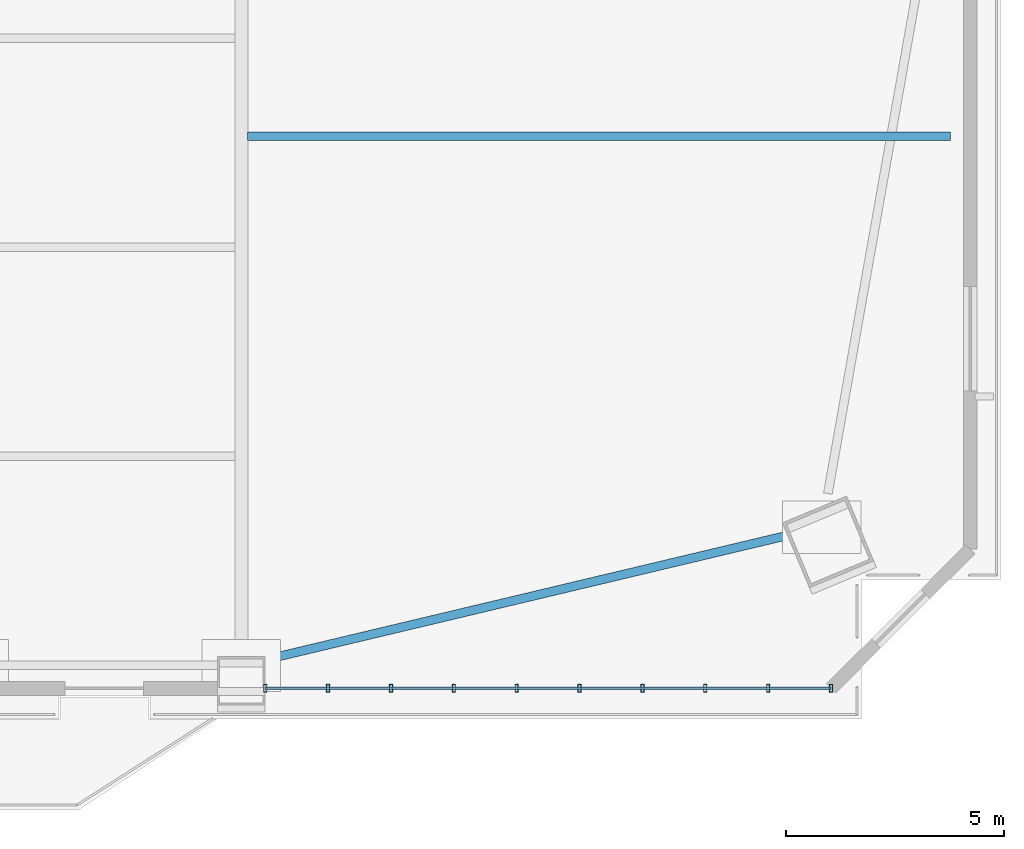
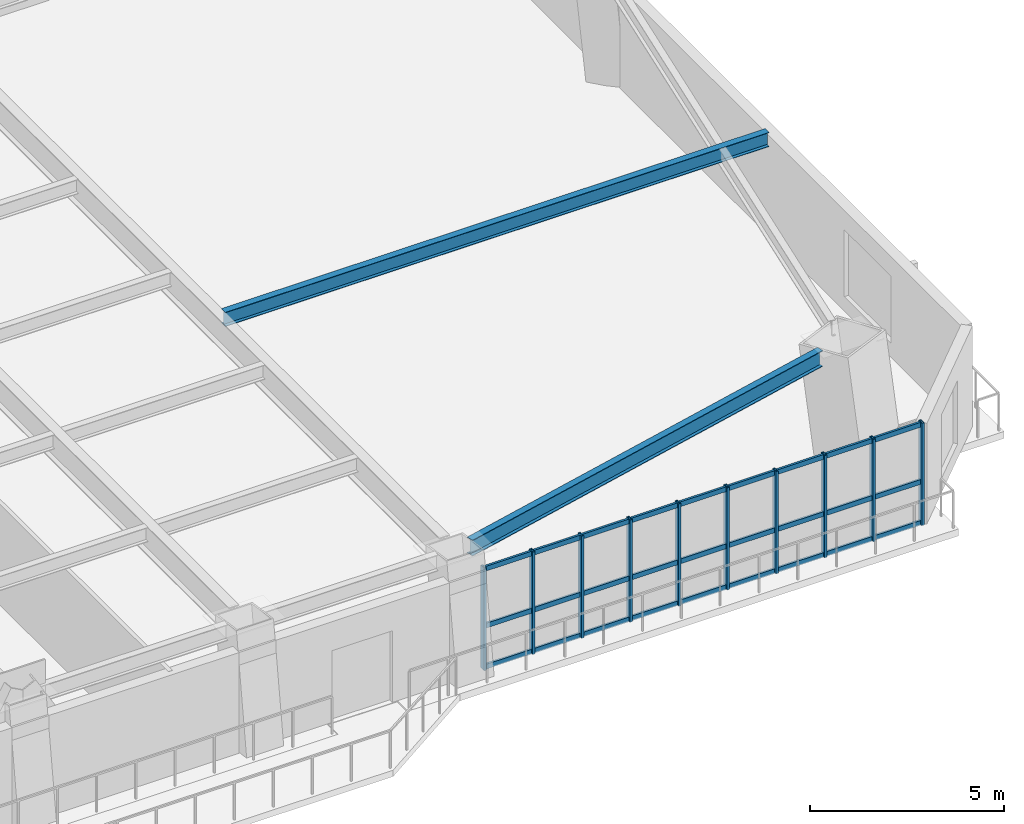
# One storey, part 6 of 17: 13 members, 2 beams, 1 element without a shape of its own.
"""IFC4 building model written with IfcOpenShell, lengths in metres."""

from ifc_helpers import new_model, si_unit, direction, frame, origin, origin_2d, place, context, subcontext, project, spatial, hollow_rectangle, i_section, extrude, source, transform, mapped, material, layer, layer_set, material_profile, profile_set, type_object, element, aggregate, save


model = new_model("IFC4")

# Units and contexts
model_context = context("Model", 3, precision=1e-05, world=origin(), true_north=direction((0.0, 1.0)))
body_context = subcontext(model_context, "Body", "Model", "MODEL_VIEW")
ifc_project = project(units=[si_unit("LENGTHUNIT", "METRE"), si_unit("AREAUNIT", "SQUARE_METRE"), si_unit("VOLUMEUNIT", "CUBIC_METRE"), si_unit("PLANEANGLEUNIT", "RADIAN"), si_unit("MASSUNIT", "GRAM", prefix="KILO")], contexts=[model_context])

# Site, building, storey
site_placement = place(None, origin())
site = spatial("IfcSite", under=ifc_project, at=site_placement, CompositionType="ELEMENT")
building_placement = place(site_placement, origin())
building = spatial("IfcBuilding", under=site, at=building_placement, Name="Giltprow Tower", CompositionType="ELEMENT")
storey_placement = place(building_placement, frame((0.0, 0.0, 33.199951171875)))
storey = spatial("IfcBuildingStorey", under=building, at=storey_placement, Name="L08", CompositionType="ELEMENT", Elevation=33.199951171875)

# Beams
ifc_material_1 = material(Name="Structural steel Q355B", Category="steel")
ifc_material_profile_1 = material_profile(ifc_material_1, i_section(OverallWidth=0.199951171875, OverallDepth=0.5, WebThickness=0.010009765625, FlangeThickness=0.01611328125, at=origin_2d()), Name="HN 500x200x10x16")
ifc_profile_set_1 = profile_set([ifc_material_profile_1], Name="Structural steel Q355B")
beam_type_1 = type_object("IfcBeamType", Name="BM-SPAN-HN500", PredefinedType="SPANDREL", material=ifc_profile_set_1)
shared_shape_1 = source(origin(), body_context, "Body", "SweptSolid", [
    extrude(i_section(OverallWidth=0.199951171875, OverallDepth=0.5, WebThickness=0.010009765625, FlangeThickness=0.01611328125, at=origin_2d()), origin(), (0.0, 0.0, 1.0), 12.393310546875),
])
beam_1_placement = place(storey_placement, frame((51.070068359375, 3.950927734375, 3.429931640625), z_axis=(0.972852062108, 0.23142788348, 0.0), x_axis=(-0.23142788348, 0.972852062108, 0.0)))
element("IfcBeam", 1, at=beam_1_placement, inside=storey, type_object=beam_type_1, Name="L08 Perimeter Spandrel Beam S4-MC_SE", PredefinedType="SPANDREL", context=body_context, shape_type="MappedRepresentation", body=[
    mapped(shared_shape_1, transform((0.0, 0.0, 0.0), x_axis=(1.0, 0.0, 0.0), y_axis=(0.0, 1.0, 0.0), z_axis=(0.0, 0.0, 1.0), scale=1.0)),
])
ifc_material_profile_2 = material_profile(ifc_material_1, i_section(OverallWidth=0.199951171875, OverallDepth=0.449951171875, WebThickness=0.009033203125, FlangeThickness=0.013916015625, at=origin_2d()), Name="HN 450x200x9x14")
ifc_profile_set_2 = profile_set([ifc_material_profile_2], Name="Structural steel Q355B")
beam_type_2 = type_object("IfcBeamType", Name="BM-JOIST-HN450", PredefinedType="JOIST", material=ifc_profile_set_2)
shared_shape_2 = source(origin(), body_context, "Body", "SweptSolid", [
    extrude(i_section(OverallWidth=0.199951171875, OverallDepth=0.449951171875, WebThickness=0.009033203125, FlangeThickness=0.013916015625, at=origin_2d()), origin(), (0.0, 0.0, 1.0), 16.14990234375),
])
beam_2_placement = place(storey_placement, frame((50.695068359375, 15.98193359375, 3.455078125), z_axis=(1.0, 0.0, 0.0), x_axis=(0.0, 1.0, 0.0)))
element("IfcBeam", 2, at=beam_2_placement, inside=storey, type_object=beam_type_2, Name="L08 East Wing Floor Joist 1", PredefinedType="JOIST", context=body_context, shape_type="MappedRepresentation", body=[
    mapped(shared_shape_2, transform((0.0, 0.0, 0.0), x_axis=(1.0, 0.0, 0.0), y_axis=(0.0, 1.0, 0.0), z_axis=(0.0, 0.0, 1.0), scale=1.0)),
])

# Curtain wall, members
ifc_material_2 = material(Name="Anodized bronze", Category="metal")
ifc_layer = layer(ifc_material_2, 0.179931640625, Name="Anodized bronze")
ifc_layer_set = layer_set([ifc_layer], Name="Anodized bronze")
curtain_wall_type = type_object("IfcCurtainWallType", Name="CW-OFF-RECESSED", PredefinedType="NOTDEFINED", material=ifc_layer_set)
curtain_wall_placement = place(storey_placement, origin())
curtain_wall = element("IfcCurtainWall", 3, at=curtain_wall_placement, inside=storey, type_object=curtain_wall_type, Name="L08 South Recessed Curtain Wall 6", PredefinedType="NOTDEFINED")
ifc_material_profile_3 = material_profile(ifc_material_2, hollow_rectangle(XDim=0.074951171875, YDim=0.179931640625, WallThickness=0.008056640625, at=origin_2d()), Name="RHS 180x75x8")
ifc_profile_set_3 = profile_set([ifc_material_profile_3], Name="Anodized bronze")
member_type_1 = type_object("IfcMemberType", Name="CW-MULLION-180x75", PredefinedType="MULLION", material=ifc_profile_set_3)
shared_shape_3 = source(origin(), body_context, "Body", "SweptSolid", [
    extrude(hollow_rectangle(XDim=0.074951171875, YDim=0.179931640625, WallThickness=0.008056640625, at=origin_2d()), origin(), (0.0, 0.0, 1.0), 3.215087890625),
])
member_1_placement = place(storey_placement, frame((51.10009765625, 3.300048828125, -0.02001953125), z_axis=(0.0, 0.0, 1.0), x_axis=(1.0, 0.0, 0.0)))
member_1 = element("IfcMember", 4, at=member_1_placement, type_object=member_type_1, Name="L08 South Recessed Curtain Wall 6 Mullion 1", PredefinedType="MULLION", context=body_context, shape_type="MappedRepresentation", body=[
    mapped(shared_shape_3, transform((0.0, 0.0, 0.0), x_axis=(1.0, 0.0, 0.0), y_axis=(0.0, 1.0, 0.0), z_axis=(0.0, 0.0, 1.0), scale=1.0)),
])
member_2_placement = place(storey_placement, frame((52.5439453125, 3.300048828125, -0.02001953125), z_axis=(0.0, 0.0, 1.0), x_axis=(1.0, 0.0, 0.0)))
member_2 = element("IfcMember", 5, at=member_2_placement, type_object=member_type_1, Name="L08 South Recessed Curtain Wall 6 Mullion 2", PredefinedType="MULLION", context=body_context, shape_type="MappedRepresentation", body=[
    mapped(shared_shape_3, transform((0.0, 0.0, 0.0), x_axis=(1.0, 0.0, 0.0), y_axis=(0.0, 1.0, 0.0), z_axis=(0.0, 0.0, 1.0), scale=1.0)),
])
member_3_placement = place(storey_placement, frame((53.989013671875, 3.300048828125, -0.02001953125), z_axis=(0.0, 0.0, 1.0), x_axis=(1.0, 0.0, 0.0)))
member_3 = element("IfcMember", 6, at=member_3_placement, type_object=member_type_1, Name="L08 South Recessed Curtain Wall 6 Mullion 3", PredefinedType="MULLION", context=body_context, shape_type="MappedRepresentation", body=[
    mapped(shared_shape_3, transform((0.0, 0.0, 0.0), x_axis=(1.0, 0.0, 0.0), y_axis=(0.0, 1.0, 0.0), z_axis=(0.0, 0.0, 1.0), scale=1.0)),
])
member_4_placement = place(storey_placement, frame((55.43310546875, 3.300048828125, -0.02001953125), z_axis=(0.0, 0.0, 1.0), x_axis=(1.0, 0.0, 0.0)))
member_4 = element("IfcMember", 7, at=member_4_placement, type_object=member_type_1, Name="L08 South Recessed Curtain Wall 6 Mullion 4", PredefinedType="MULLION", context=body_context, shape_type="MappedRepresentation", body=[
    mapped(shared_shape_3, transform((0.0, 0.0, 0.0), x_axis=(1.0, 0.0, 0.0), y_axis=(0.0, 1.0, 0.0), z_axis=(0.0, 0.0, 1.0), scale=1.0)),
])
member_5_placement = place(storey_placement, frame((56.8779296875, 3.300048828125, -0.02001953125), z_axis=(0.0, 0.0, 1.0), x_axis=(1.0, 0.0, 0.0)))
member_5 = element("IfcMember", 8, at=member_5_placement, type_object=member_type_1, Name="L08 South Recessed Curtain Wall 6 Mullion 5", PredefinedType="MULLION", context=body_context, shape_type="MappedRepresentation", body=[
    mapped(shared_shape_3, transform((0.0, 0.0, 0.0), x_axis=(1.0, 0.0, 0.0), y_axis=(0.0, 1.0, 0.0), z_axis=(0.0, 0.0, 1.0), scale=1.0)),
])
member_6_placement = place(storey_placement, frame((58.322021484375, 3.300048828125, -0.02001953125), z_axis=(0.0, 0.0, 1.0), x_axis=(1.0, 0.0, 0.0)))
member_6 = element("IfcMember", 9, at=member_6_placement, type_object=member_type_1, Name="L08 South Recessed Curtain Wall 6 Mullion 6", PredefinedType="MULLION", context=body_context, shape_type="MappedRepresentation", body=[
    mapped(shared_shape_3, transform((0.0, 0.0, 0.0), x_axis=(1.0, 0.0, 0.0), y_axis=(0.0, 1.0, 0.0), z_axis=(0.0, 0.0, 1.0), scale=1.0)),
])
member_7_placement = place(storey_placement, frame((59.76708984375, 3.300048828125, -0.02001953125), z_axis=(0.0, 0.0, 1.0), x_axis=(1.0, 0.0, 0.0)))
member_7 = element("IfcMember", 10, at=member_7_placement, type_object=member_type_1, Name="L08 South Recessed Curtain Wall 6 Mullion 7", PredefinedType="MULLION", context=body_context, shape_type="MappedRepresentation", body=[
    mapped(shared_shape_3, transform((0.0, 0.0, 0.0), x_axis=(1.0, 0.0, 0.0), y_axis=(0.0, 1.0, 0.0), z_axis=(0.0, 0.0, 1.0), scale=1.0)),
])
member_8_placement = place(storey_placement, frame((61.2109375, 3.300048828125, -0.02001953125), z_axis=(0.0, 0.0, 1.0), x_axis=(1.0, 0.0, 0.0)))
member_8 = element("IfcMember", 11, at=member_8_placement, type_object=member_type_1, Name="L08 South Recessed Curtain Wall 6 Mullion 8", PredefinedType="MULLION", context=body_context, shape_type="MappedRepresentation", body=[
    mapped(shared_shape_3, transform((0.0, 0.0, 0.0), x_axis=(1.0, 0.0, 0.0), y_axis=(0.0, 1.0, 0.0), z_axis=(0.0, 0.0, 1.0), scale=1.0)),
])
member_9_placement = place(storey_placement, frame((62.656005859375, 3.300048828125, -0.02001953125), z_axis=(0.0, 0.0, 1.0), x_axis=(1.0, 0.0, 0.0)))
member_9 = element("IfcMember", 12, at=member_9_placement, type_object=member_type_1, Name="L08 South Recessed Curtain Wall 6 Mullion 9", PredefinedType="MULLION", context=body_context, shape_type="MappedRepresentation", body=[
    mapped(shared_shape_3, transform((0.0, 0.0, 0.0), x_axis=(1.0, 0.0, 0.0), y_axis=(0.0, 1.0, 0.0), z_axis=(0.0, 0.0, 1.0), scale=1.0)),
])
member_10_placement = place(storey_placement, frame((64.10009765625, 3.300048828125, -0.02001953125), z_axis=(0.0, 0.0, 1.0), x_axis=(1.0, 0.0, 0.0)))
member_10 = element("IfcMember", 13, at=member_10_placement, type_object=member_type_1, Name="L08 South Recessed Curtain Wall 6 Mullion 10", PredefinedType="MULLION", context=body_context, shape_type="MappedRepresentation", body=[
    mapped(shared_shape_3, transform((0.0, 0.0, 0.0), x_axis=(1.0, 0.0, 0.0), y_axis=(0.0, 1.0, 0.0), z_axis=(0.0, 0.0, 1.0), scale=1.0)),
])
ifc_material_profile_4 = material_profile(ifc_material_2, hollow_rectangle(XDim=0.06494140625, YDim=0.14990234375, WallThickness=0.006103515625, at=origin_2d()), Name="RHS 150x65x6")
ifc_profile_set_4 = profile_set([ifc_material_profile_4], Name="Anodized bronze")
member_type_2 = type_object("IfcMemberType", Name="CW-TRANSOM-150x65", PredefinedType="USERDEFINED", material=ifc_profile_set_4)
shared_shape_4 = source(origin(), body_context, "Body", "SweptSolid", [
    extrude(hollow_rectangle(XDim=0.06494140625, YDim=0.14990234375, WallThickness=0.006103515625, at=origin_2d()), origin(), (0.0, 0.0, 1.0), 13.0),
])
member_11_placement = place(storey_placement, frame((51.10009765625, 3.300048828125, 0.0400390625), z_axis=(1.0, 0.0, 0.0), x_axis=(0.0, 1.0, 0.0)))
member_11 = element("IfcMember", 14, at=member_11_placement, type_object=member_type_2, Name="L08 South Recessed Curtain Wall 6 Transom 1", ObjectType="TRANSOM", PredefinedType="USERDEFINED", context=body_context, shape_type="MappedRepresentation", body=[
    mapped(shared_shape_4, transform((0.0, 0.0, 0.0), x_axis=(1.0, 0.0, 0.0), y_axis=(0.0, 1.0, 0.0), z_axis=(0.0, 0.0, 1.0), scale=1.0)),
])
member_12_placement = place(storey_placement, frame((51.10009765625, 3.300048828125, 1.3271484375), z_axis=(1.0, 0.0, 0.0), x_axis=(0.0, 1.0, 0.0)))
member_12 = element("IfcMember", 15, at=member_12_placement, type_object=member_type_2, Name="L08 South Recessed Curtain Wall 6 Transom 2", ObjectType="TRANSOM", PredefinedType="USERDEFINED", context=body_context, shape_type="MappedRepresentation", body=[
    mapped(shared_shape_4, transform((0.0, 0.0, 0.0), x_axis=(1.0, 0.0, 0.0), y_axis=(0.0, 1.0, 0.0), z_axis=(0.0, 0.0, 1.0), scale=1.0)),
])
member_13_placement = place(storey_placement, frame((51.10009765625, 3.300048828125, 3.1201171875), z_axis=(1.0, 0.0, 0.0), x_axis=(0.0, 1.0, 0.0)))
member_13 = element("IfcMember", 16, at=member_13_placement, type_object=member_type_2, Name="L08 South Recessed Curtain Wall 6 Transom 3", ObjectType="TRANSOM", PredefinedType="USERDEFINED", context=body_context, shape_type="MappedRepresentation", body=[
    mapped(shared_shape_4, transform((0.0, 0.0, 0.0), x_axis=(1.0, 0.0, 0.0), y_axis=(0.0, 1.0, 0.0), z_axis=(0.0, 0.0, 1.0), scale=1.0)),
])
aggregate(curtain_wall, [member_1, member_2, member_3, member_4, member_5, member_6, member_7, member_8, member_9, member_10, member_11, member_12, member_13])

save(model, "model.ifc")
